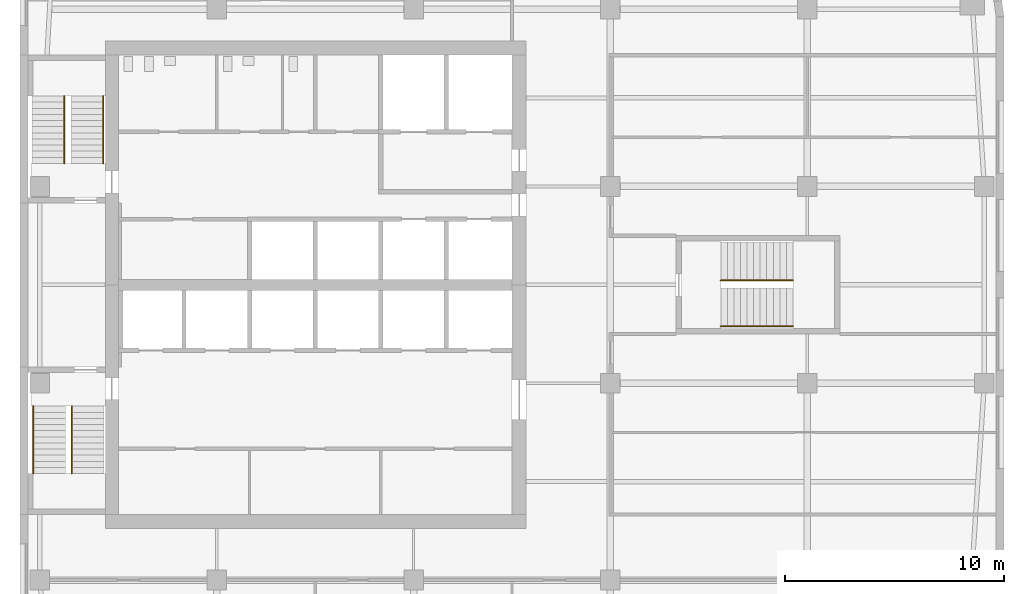
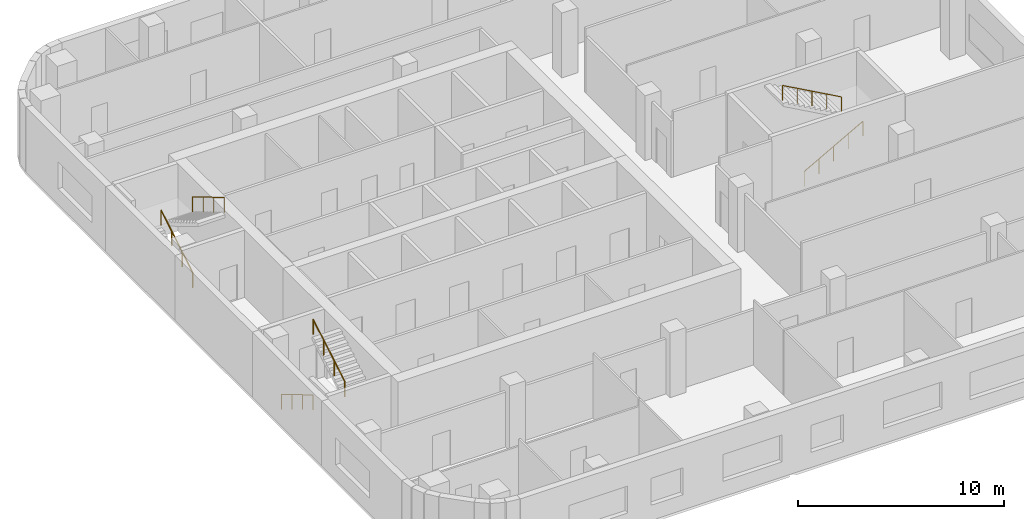
# One storey, part 7 of 8: 6 railings, 3 elements without a shape of their own.
"""IFC4 building model written with IfcOpenShell, lengths in metres."""

from ifc_helpers import new_model, si_unit, direction, frame, origin, origin_2d, place, context, subcontext, project, spatial, circle, extrude, material, type_object, element, aggregate, save


model = new_model("IFC4")

# Units and contexts
model_context = context("Model", 3, precision=1e-05, world=origin(), true_north=direction((0.0, 1.0)))
body_context = subcontext(model_context, "Body", "Model", "MODEL_VIEW")
ifc_project = project(units=[si_unit("LENGTHUNIT", "METRE"), si_unit("AREAUNIT", "SQUARE_METRE"), si_unit("VOLUMEUNIT", "CUBIC_METRE"), si_unit("PLANEANGLEUNIT", "RADIAN"), si_unit("MASSUNIT", "GRAM", prefix="KILO")], contexts=[model_context])

# Site, building, storey
site_placement = place(None, origin())
site = spatial("IfcSite", under=ifc_project, at=site_placement, CompositionType="ELEMENT")
building_placement = place(site_placement, origin())
building = spatial("IfcBuilding", under=site, at=building_placement, Name="Cinnabar Reach Civic Tower", CompositionType="ELEMENT")
storey_placement = place(building_placement, frame((0.0, 0.0, 157.0)))
storey = spatial("IfcBuildingStorey", under=building, at=storey_placement, Name="L37", CompositionType="ELEMENT", Elevation=157.0)

# Stair, railings
ifc_material_1 = material(Name="Concrete C40/50", Category="concrete")
stair_type = type_object("IfcStairType", Name="T1 Exit stair, half-turn", PredefinedType="HALF_TURN_STAIR", material=ifc_material_1)
stair_1_placement = place(storey_placement, origin())
stair_1 = element("IfcStair", 1, at=stair_1_placement, inside=storey, type_object=stair_type, Name="Stair T1-S1", PredefinedType="HALF_TURN_STAIR")
ifc_material_2 = material(Name="Stainless steel tube", Category="steel")
railing_type = type_object("IfcRailingType", Name="T1 Stair handrail, stainless tube 48", PredefinedType="HANDRAIL", material=ifc_material_2)
railing_1_placement = place(storey_placement, frame((0.6, 25.95, 0.1667)))
railing_1 = element("IfcRailing", 2, at=railing_1_placement, type_object=railing_type, Name="T1-S1 handrail 1", PredefinedType="HANDRAIL", context=body_context, shape_type="SweptSolid", body=[
    extrude(circle(Radius=0.024, at=origin_2d()), frame((0.0, 0.0, 0.876), z_axis=(0.0, -0.859296971757, 0.511476992962), x_axis=(1.0, 0.0, 0.0)), (0.0, 0.0, 1.0), 3.5843),
    extrude(circle(Radius=0.021, at=origin_2d()), origin(), (0.0, 0.0, 1.0), 0.852),
    extrude(circle(Radius=0.021, at=origin_2d()), frame((0.0, -1.0267, 0.6111)), (0.0, 0.0, 1.0), 0.852),
    extrude(circle(Radius=0.021, at=origin_2d()), frame((0.0, -2.0533, 1.2222)), (0.0, 0.0, 1.0), 0.852),
    extrude(circle(Radius=0.021, at=origin_2d()), frame((0.0, -3.08, 1.8333)), (0.0, 0.0, 1.0), 0.852),
])
railing_2_placement = place(storey_placement, frame((2.375, 22.87, 2.1667)))
railing_2 = element("IfcRailing", 3, at=railing_2_placement, type_object=railing_type, Name="T1-S1 handrail 2", PredefinedType="HANDRAIL", context=body_context, shape_type="SweptSolid", body=[
    extrude(circle(Radius=0.024, at=origin_2d()), frame((0.0, 0.0, 0.876), z_axis=(0.0, 0.859296971757, 0.511476992962), x_axis=(-1.0, 0.0, 0.0)), (0.0, 0.0, 1.0), 3.5843),
    extrude(circle(Radius=0.021, at=origin_2d()), origin(), (0.0, 0.0, 1.0), 0.852),
    extrude(circle(Radius=0.021, at=origin_2d()), frame((0.0, 1.0267, 0.6111)), (0.0, 0.0, 1.0), 0.852),
    extrude(circle(Radius=0.021, at=origin_2d()), frame((0.0, 2.0533, 1.2222)), (0.0, 0.0, 1.0), 0.852),
    extrude(circle(Radius=0.021, at=origin_2d()), frame((0.0, 3.08, 1.8333)), (0.0, 0.0, 1.0), 0.852),
])
aggregate(stair_1, [railing_1, railing_2])

stair_2_placement = place(storey_placement, origin())
stair_2 = element("IfcStair", 4, at=stair_2_placement, inside=storey, type_object=stair_type, Name="Stair T1-S2", PredefinedType="HALF_TURN_STAIR")
railing_3_placement = place(storey_placement, frame((2.025, 37.05, 0.1667)))
railing_3 = element("IfcRailing", 5, at=railing_3_placement, type_object=railing_type, Name="T1-S2 handrail 1", PredefinedType="HANDRAIL", context=body_context, shape_type="SweptSolid", body=[
    extrude(circle(Radius=0.024, at=origin_2d()), frame((0.0, 0.0, 0.876), z_axis=(0.0, 0.859296971757, 0.511476992962), x_axis=(-1.0, 0.0, 0.0)), (0.0, 0.0, 1.0), 3.5843),
    extrude(circle(Radius=0.021, at=origin_2d()), origin(), (0.0, 0.0, 1.0), 0.852),
    extrude(circle(Radius=0.021, at=origin_2d()), frame((0.0, 1.0267, 0.6111)), (0.0, 0.0, 1.0), 0.852),
    extrude(circle(Radius=0.021, at=origin_2d()), frame((0.0, 2.0533, 1.2222)), (0.0, 0.0, 1.0), 0.852),
    extrude(circle(Radius=0.021, at=origin_2d()), frame((0.0, 3.08, 1.8333)), (0.0, 0.0, 1.0), 0.852),
])
railing_4_placement = place(storey_placement, frame((3.8, 40.13, 2.1667)))
railing_4 = element("IfcRailing", 6, at=railing_4_placement, type_object=railing_type, Name="T1-S2 handrail 2", PredefinedType="HANDRAIL", context=body_context, shape_type="SweptSolid", body=[
    extrude(circle(Radius=0.024, at=origin_2d()), frame((0.0, 0.0, 0.876), z_axis=(0.0, -0.859296971757, 0.511476992962), x_axis=(1.0, 0.0, 0.0)), (0.0, 0.0, 1.0), 3.5843),
    extrude(circle(Radius=0.021, at=origin_2d()), origin(), (0.0, 0.0, 1.0), 0.852),
    extrude(circle(Radius=0.021, at=origin_2d()), frame((0.0, -1.0267, 0.6111)), (0.0, 0.0, 1.0), 0.852),
    extrude(circle(Radius=0.021, at=origin_2d()), frame((0.0, -2.0533, 1.2222)), (0.0, 0.0, 1.0), 0.852),
    extrude(circle(Radius=0.021, at=origin_2d()), frame((0.0, -3.08, 1.8333)), (0.0, 0.0, 1.0), 0.852),
])
aggregate(stair_2, [railing_3, railing_4])

stair_3_placement = place(storey_placement, origin())
stair_3 = element("IfcStair", 7, at=stair_3_placement, inside=storey, type_object=stair_type, Name="Stair T1-S3", PredefinedType="HALF_TURN_STAIR")
railing_5_placement = place(storey_placement, frame((32.05, 29.6, 0.1667)))
railing_5 = element("IfcRailing", 8, at=railing_5_placement, type_object=railing_type, Name="T1-S3 handrail 1", PredefinedType="HANDRAIL", context=body_context, shape_type="SweptSolid", body=[
    extrude(circle(Radius=0.024, at=origin_2d()), frame((0.0, 0.0, 0.876), z_axis=(0.874161024642, 0.0, 0.485636183781), x_axis=(0.0, 1.0, 0.0)), (0.0, 0.0, 1.0), 3.775),
    extrude(circle(Radius=0.021, at=origin_2d()), origin(), (0.0, 0.0, 1.0), 0.852),
    extrude(circle(Radius=0.021, at=origin_2d()), frame((0.825, 0.0, 0.4583)), (0.0, 0.0, 1.0), 0.852),
    extrude(circle(Radius=0.021, at=origin_2d()), frame((1.65, 0.0, 0.9167)), (0.0, 0.0, 1.0), 0.852),
    extrude(circle(Radius=0.021, at=origin_2d()), frame((2.475, 0.0, 1.375)), (0.0, 0.0, 1.0), 0.852),
    extrude(circle(Radius=0.021, at=origin_2d()), frame((3.3, 0.0, 1.8333)), (0.0, 0.0, 1.0), 0.852),
])
railing_6_placement = place(storey_placement, frame((35.35, 31.7, 2.1667)))
railing_6 = element("IfcRailing", 9, at=railing_6_placement, type_object=railing_type, Name="T1-S3 handrail 2", PredefinedType="HANDRAIL", context=body_context, shape_type="SweptSolid", body=[
    extrude(circle(Radius=0.024, at=origin_2d()), frame((0.0, 0.0, 0.876), z_axis=(-0.874161024642, 0.0, 0.485636183781), x_axis=(0.0, -1.0, 0.0)), (0.0, 0.0, 1.0), 3.775),
    extrude(circle(Radius=0.021, at=origin_2d()), origin(), (0.0, 0.0, 1.0), 0.852),
    extrude(circle(Radius=0.021, at=origin_2d()), frame((-0.825, 0.0, 0.4583)), (0.0, 0.0, 1.0), 0.852),
    extrude(circle(Radius=0.021, at=origin_2d()), frame((-1.65, 0.0, 0.9167)), (0.0, 0.0, 1.0), 0.852),
    extrude(circle(Radius=0.021, at=origin_2d()), frame((-2.475, 0.0, 1.375)), (0.0, 0.0, 1.0), 0.852),
    extrude(circle(Radius=0.021, at=origin_2d()), frame((-3.3, 0.0, 1.8333)), (0.0, 0.0, 1.0), 0.852),
])
aggregate(stair_3, [railing_5, railing_6])

save(model, "model.ifc")
